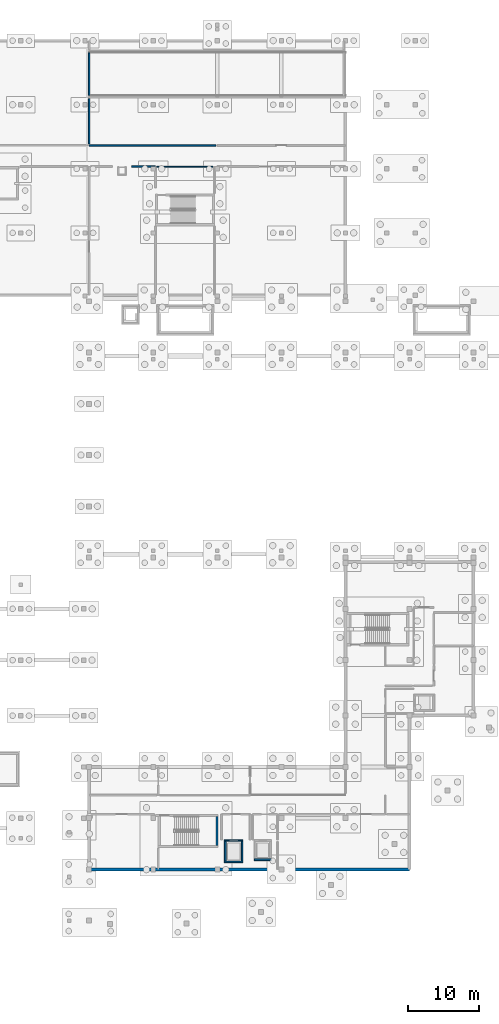
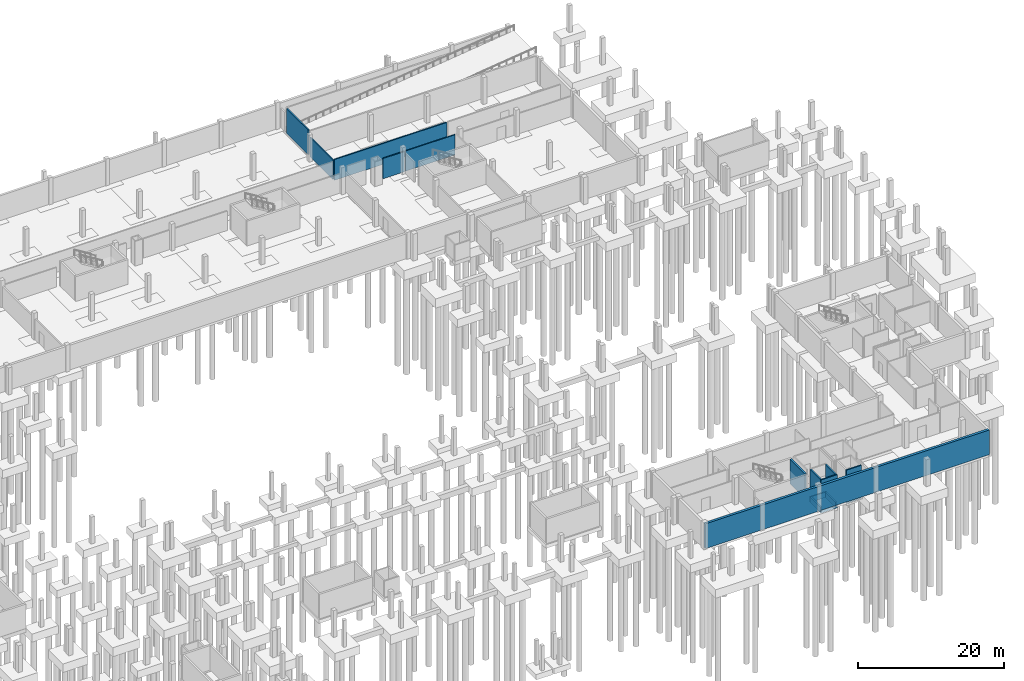
# One storey, part 23 of 36: 16 walls.
"""IFC4 building model written with IfcOpenShell, lengths in metres."""

from ifc_helpers import new_model, si_unit, direction, frame, frame_2d, origin, place, context, subcontext, project, spatial, rectangle, extrude, material, layer, layer_set, type_object, element, save


model = new_model("IFC4")

# Units and contexts
model_context = context("Model", 3, precision=1e-05, world=origin(), true_north=direction((0.0, 1.0)))
body_context = subcontext(model_context, "Body", "Model", "MODEL_VIEW")
ifc_project = project(units=[si_unit("LENGTHUNIT", "METRE"), si_unit("AREAUNIT", "SQUARE_METRE"), si_unit("VOLUMEUNIT", "CUBIC_METRE"), si_unit("PLANEANGLEUNIT", "RADIAN"), si_unit("MASSUNIT", "GRAM", prefix="KILO")], contexts=[model_context])

# Site, building, storey
site_placement = place(None, origin())
site = spatial("IfcSite", under=ifc_project, at=site_placement, CompositionType="ELEMENT")
building_placement = place(site_placement, origin())
building = spatial("IfcBuilding", under=site, at=building_placement, Name="Chiffa Square Polytechnic", CompositionType="ELEMENT")
storey_placement = place(building_placement, frame((0.0, 0.0, -4.5)))
storey = spatial("IfcBuildingStorey", under=building, at=storey_placement, Name="B1", CompositionType="ELEMENT", Elevation=-4.5)

# Walls
ifc_material_1 = material(Name="Concrete C40/50", Category="concrete")
ifc_layer_1 = layer(ifc_material_1, 0.300048828125, Name="Concrete C40/50")
ifc_layer_set_1 = layer_set([ifc_layer_1], Name="Concrete C40/50")
wall_type_1 = type_object("IfcWallType", Name="WL-CORE-300", PredefinedType="SHEAR", material=ifc_layer_set_1)
wall_1_placement = place(storey_placement, frame((130.14990234375, 17.75, 0.0), z_axis=(0.0, 0.0, 1.0), x_axis=(0.0, 1.0, 0.0)))
element("IfcWall", 1, at=wall_1_placement, inside=storey, type_object=wall_type_1, Name="Core or enclosure wall WC-CORE-V1A-B1-EAST", PredefinedType="SHEAR", context=body_context, shape_type="SweptSolid", body=[
    extrude(rectangle(XDim=4.10009765625, YDim=0.300048828125, at=frame_2d((2.050048828125, 0.0))), origin(), (0.0, 0.0, 1.0), 4.14990234375),
])
ifc_material_2 = material(Name="Autoclaved aerated concrete blockwork", Category="masonry")
ifc_layer_2 = layer(ifc_material_2, 0.199951171875, Name="Autoclaved aerated concrete blockwork")
ifc_layer_set_2 = layer_set([ifc_layer_2], Name="Autoclaved aerated concrete blockwork")
wall_type_2 = type_object("IfcWallType", Name="WL-PART-EI120-200", PredefinedType="PARTITIONING", material=ifc_layer_set_2)
wall_2_placement = place(storey_placement, frame((118.14599609375, 113.10009765625, 0.0), z_axis=(0.0, 0.0, 1.0), x_axis=(1.0, 0.0, 0.0)))
element("IfcWall", 2, at=wall_2_placement, inside=storey, type_object=wall_type_2, Name="Interior partition WP-V5-B1-0031", PredefinedType="PARTITIONING", context=body_context, shape_type="SweptSolid", body=[
    extrude(rectangle(XDim=3.35400390625, YDim=0.199951171875, at=frame_2d((1.677001953125, 0.0))), origin(), (0.0, 0.0, 1.0), 3.385009765625),
])
wall_3_placement = place(storey_placement, frame((112.199951171875, 116.10009765625, 0.0), z_axis=(0.0, 0.0, 1.0), x_axis=(1.0, 0.0, 0.0)))
element("IfcWall", 3, at=wall_3_placement, inside=storey, type_object=wall_type_2, Name="Interior partition WP-V5-B1-0050", PredefinedType="PARTITIONING", context=body_context, shape_type="SweptSolid", body=[
    extrude(rectangle(XDim=17.780029296875, YDim=0.199951171875, at=frame_2d((8.89013671875, 0.0))), origin(), (0.0, 0.0, 1.0), 3.485107421875),
])
wall_4_placement = place(storey_placement, frame((112.199951171875, 116.320068359375, 0.0), z_axis=(0.0, 0.0, 1.0), x_axis=(0.0, 1.0, 0.0)))
element("IfcWall", 4, at=wall_4_placement, inside=storey, type_object=wall_type_2, Name="Interior partition WP-V5-B1-0051", PredefinedType="PARTITIONING", context=body_context, shape_type="SweptSolid", body=[
    extrude(rectangle(XDim=6.329833984375, YDim=0.199951171875, at=frame_2d((3.1650390625, 0.0))), origin(), (0.0, 0.0, 1.0), 3.235107421875),
])
wall_5_placement = place(storey_placement, frame((112.199951171875, 123.1298828125, 0.0), z_axis=(0.0, 0.0, 1.0), x_axis=(0.0, 1.0, 0.0)))
element("IfcWall", 5, at=wall_5_placement, inside=storey, type_object=wall_type_2, Name="Interior partition WP-V5-B1-0052", PredefinedType="PARTITIONING", context=body_context, shape_type="SweptSolid", body=[
    extrude(rectangle(XDim=5.940185546875, YDim=0.199951171875, at=frame_2d((2.97021484375, 0.0))), origin(), (0.0, 0.0, 1.0), 4.14990234375),
])
ifc_material_3 = material(Name="Gypsum board on acoustic steel stud", Category="steel")
ifc_layer_3 = layer(ifc_material_3, 0.159912109375, Name="Gypsum board on acoustic steel stud")
ifc_layer_set_3 = layer_set([ifc_layer_3], Name="Gypsum board on acoustic steel stud")
wall_type_3 = type_object("IfcWallType", Name="WL-PART-EI60-160", PredefinedType="PARTITIONING", material=ifc_layer_set_3)
wall_6_placement = place(storey_placement, frame((121.719970703125, 113.10009765625, 0.0), z_axis=(0.0, 0.0, 1.0), x_axis=(1.0, 0.0, 0.0)))
element("IfcWall", 6, at=wall_6_placement, inside=storey, type_object=wall_type_3, Name="Interior partition WP-V5-B1-0063", PredefinedType="PARTITIONING", context=body_context, shape_type="SweptSolid", body=[
    extrude(rectangle(XDim=7.860107421875, YDim=0.159912109375, at=frame_2d((3.93017578125, 0.0))), origin(), (0.0, 0.0, 1.0), 3.385009765625),
])
ifc_material_4 = material(Name="Concrete C35/45", Category="concrete")
ifc_layer_4 = layer(ifc_material_4, 0.39990234375, Name="Concrete C35/45")
ifc_layer_set_4 = layer_set([ifc_layer_4], Name="Concrete C35/45")
wall_type_4 = type_object("IfcWallType", Name="WL-RET-400", PredefinedType="USERDEFINED", material=ifc_layer_set_4)
wall_7_placement = place(storey_placement, frame((112.199951171875, 14.39990234375, 0.0), z_axis=(0.0, 0.0, 1.0), x_axis=(1.0, 0.0, 0.0)))
element("IfcWall", 7, at=wall_7_placement, inside=storey, type_object=wall_type_4, Name="Basement retaining wall WE-V1-B1-0001", ObjectType="RETAININGWALL", PredefinedType="USERDEFINED", context=body_context, shape_type="SweptSolid", body=[
    extrude(rectangle(XDim=45.0, YDim=0.39990234375, at=frame_2d((22.5, 0.0))), origin(), (0.0, 0.0, 1.0), 4.14990234375),
])
ifc_layer_5 = layer(ifc_material_4, 0.219970703125, Name="Concrete C35/45")
ifc_layer_set_5 = layer_set([ifc_layer_5], Name="Concrete C35/45")
wall_type_5 = type_object("IfcWallType", Name="WL-SHAFT-220", PredefinedType="SHEAR", material=ifc_layer_set_5)
for number, where, z_axis, x_axis, name in (
    (8, (131.199951171875, 15.4599609375, -1.39990234375), (0.0, 0.0, 1.0), (1.0, 0.0, 0.0), "Core or enclosure wall WS-PIT-LF-V1-B1-SOUTH"),
    (9, (131.199951171875, 18.43994140625, -1.39990234375), (0.0, 0.0, 1.0), (1.0, 0.0, 0.0), "Core or enclosure wall WS-PIT-LF-V1-B1-NORTH"),
):
    element("IfcWall", number, at=place(storey_placement, frame(where, z_axis=z_axis, x_axis=x_axis)), inside=storey, type_object=wall_type_5, Name=name, PredefinedType="SHEAR", context=body_context, shape_type="SweptSolid", body=[
        extrude(rectangle(XDim=2.60009765625, YDim=0.219970703125, at=frame_2d((1.300048828125, 0.0))), origin(), (0.0, 0.0, 1.0), 0.89990234375),
    ])
for number, where, z_axis, x_axis, name in (
    (10, (131.31005859375, 15.570068359375, -1.39990234375), (0.0, 0.0, 1.0), (0.0, 1.0, 0.0), "Core or enclosure wall WS-PIT-LF-V1-B1-WEST"),
    (11, (133.68994140625, 15.570068359375, -1.39990234375), (0.0, 0.0, 1.0), (0.0, 1.0, 0.0), "Core or enclosure wall WS-PIT-LF-V1-B1-EAST"),
):
    element("IfcWall", number, at=place(storey_placement, frame(where, z_axis=z_axis, x_axis=x_axis)), inside=storey, type_object=wall_type_5, Name=name, PredefinedType="SHEAR", context=body_context, shape_type="SweptSolid", body=[
        extrude(rectangle(XDim=2.760009765625, YDim=0.219970703125, at=frame_2d((1.3798828125, 0.0))), origin(), (0.0, 0.0, 1.0), 0.89990234375),
    ])
wall_8_placement = place(storey_placement, frame((131.199951171875, 15.4599609375, 0.0), z_axis=(0.0, 0.0, 1.0), x_axis=(1.0, 0.0, 0.0)))
element("IfcWall", 12, at=wall_8_placement, inside=storey, type_object=wall_type_5, Name="Core or enclosure wall WS-LF-V1-B1-SOUTH", PredefinedType="SHEAR", context=body_context, shape_type="SweptSolid", body=[
    extrude(rectangle(XDim=2.60009765625, YDim=0.219970703125, at=frame_2d((1.300048828125, 0.0))), origin(), (0.0, 0.0, 1.0), 4.14990234375),
])
for number, where, z_axis, x_axis, name in (
    (13, (131.31005859375, 15.570068359375, 0.0), (0.0, 0.0, 1.0), (0.0, 1.0, 0.0), "Core or enclosure wall WS-LF-V1-B1-WEST"),
    (14, (133.68994140625, 15.570068359375, 0.0), (0.0, 0.0, 1.0), (0.0, 1.0, 0.0), "Core or enclosure wall WS-LF-V1-B1-EAST"),
):
    element("IfcWall", number, at=place(storey_placement, frame(where, z_axis=z_axis, x_axis=x_axis)), inside=storey, type_object=wall_type_5, Name=name, PredefinedType="SHEAR", context=body_context, shape_type="SweptSolid", body=[
        extrude(rectangle(XDim=2.760009765625, YDim=0.219970703125, at=frame_2d((1.3798828125, 0.0))), origin(), (0.0, 0.0, 1.0), 4.14990234375),
    ])
wall_9_placement = place(storey_placement, frame((135.39990234375, 15.760009765625, -1.39990234375), z_axis=(0.0, 0.0, 1.0), x_axis=(1.0, 0.0, 0.0)))
element("IfcWall", 15, at=wall_9_placement, inside=storey, type_object=wall_type_5, Name="Core or enclosure wall WS-PIT-LP-V1A-B1-SOUTH", PredefinedType="SHEAR", context=body_context, shape_type="SweptSolid", body=[
    extrude(rectangle(XDim=2.400146484375, YDim=0.219970703125, at=frame_2d((1.2001953125, 0.0))), origin(), (0.0, 0.0, 1.0), 0.89990234375),
])
wall_10_placement = place(storey_placement, frame((135.39990234375, 15.760009765625, 0.0), z_axis=(0.0, 0.0, 1.0), x_axis=(1.0, 0.0, 0.0)))
element("IfcWall", 16, at=wall_10_placement, inside=storey, type_object=wall_type_5, Name="Core or enclosure wall WS-LP-V1A-B1-SOUTH", PredefinedType="SHEAR", context=body_context, shape_type="SweptSolid", body=[
    extrude(rectangle(XDim=2.400146484375, YDim=0.219970703125, at=frame_2d((1.2001953125, 0.0))), origin(), (0.0, 0.0, 1.0), 4.14990234375),
])

save(model, "model.ifc")
